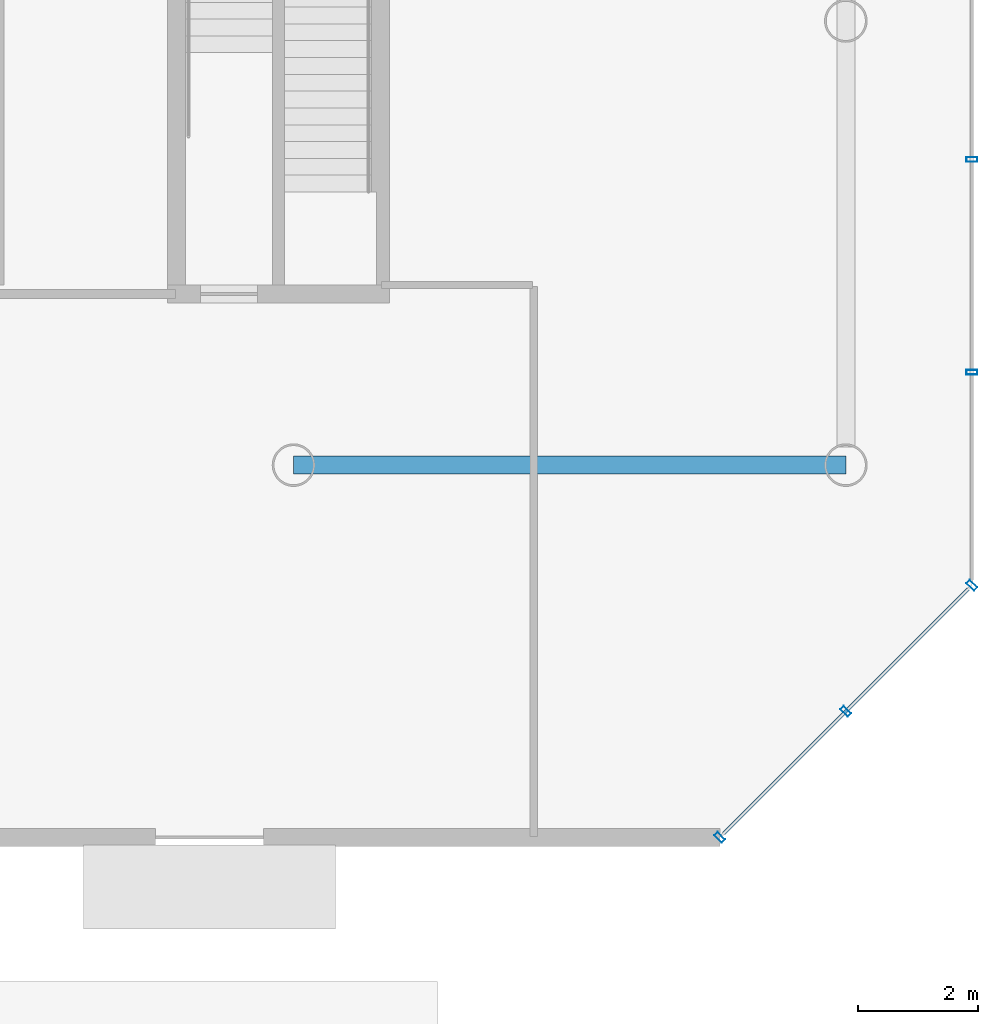
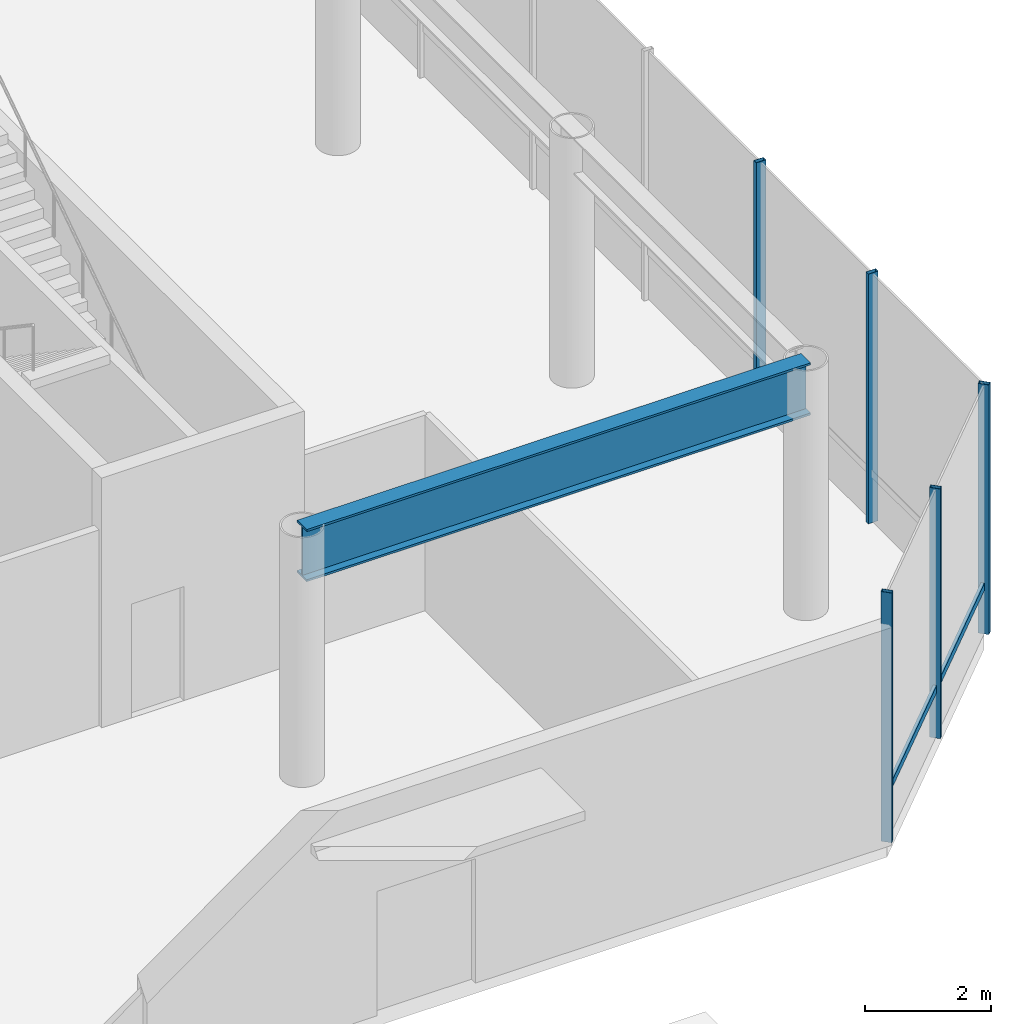
# One storey, part 14 of 31: 6 members, 1 beam, 2 elements without a shape of their own.
"""IFC4 building model written with IfcOpenShell, lengths in metres."""

from ifc_helpers import new_model, si_unit, direction, frame, origin, origin_2d, place, context, subcontext, project, spatial, hollow_rectangle, i_section, extrude, material, layer, layer_set, material_profile, profile_set, type_object, element, aggregate, save


model = new_model("IFC4")

# Units and contexts
model_context = context("Model", 3, precision=1e-05, world=origin(), true_north=direction((0.0, 1.0)))
body_context = subcontext(model_context, "Body", "Model", "MODEL_VIEW")
ifc_project = project(units=[si_unit("LENGTHUNIT", "METRE"), si_unit("AREAUNIT", "SQUARE_METRE"), si_unit("VOLUMEUNIT", "CUBIC_METRE"), si_unit("PLANEANGLEUNIT", "RADIAN"), si_unit("MASSUNIT", "GRAM", prefix="KILO")], contexts=[model_context])

# Site, building, storey
site_placement = place(None, origin())
site = spatial("IfcSite", under=ifc_project, at=site_placement, CompositionType="ELEMENT")
building_placement = place(site_placement, origin())
building = spatial("IfcBuilding", under=site, at=building_placement, Name="Zarrinselat Tower", CompositionType="ELEMENT")
storey_placement = place(building_placement, origin())
storey = spatial("IfcBuildingStorey", under=building, at=storey_placement, Name="L00", CompositionType="ELEMENT", Elevation=0.0)

# Beam
ifc_material_1 = material(Name="Steel S460M", Category="steel")
ifc_material_profile_1 = material_profile(ifc_material_1, i_section(OverallWidth=0.302001953125, OverallDepth=1.008056640625, WebThickness=0.02099609375, FlangeThickness=0.0400390625, at=origin_2d()), Name="HEM 1000")
ifc_profile_set_1 = profile_set([ifc_material_profile_1], Name="Steel S460M")
beam_type = type_object("IfcBeamType", Name="BM-PDTR-HEM1000", PredefinedType="BEAM", material=ifc_profile_set_1)
beam_placement = place(storey_placement, frame((68.0, 11.0, 4.31591796875), z_axis=(1.0, 0.0, 0.0), x_axis=(0.0, 1.0, 0.0)))
element("IfcBeam", 1, at=beam_placement, inside=storey, type_object=beam_type, Name="L00 Podium Transfer Girder E-11", PredefinedType="BEAM", context=body_context, shape_type="SweptSolid", body=[
    extrude(i_section(OverallWidth=0.302001953125, OverallDepth=1.008056640625, WebThickness=0.02099609375, FlangeThickness=0.0400390625, at=origin_2d()), origin(), (0.0, 0.0, 1.0), 9.199951171875),
])

# Curtain wall, members
ifc_material_2 = material(Name="Extruded Aluminium Alloy EN AW-6063 T6", Category="aluminium")
ifc_layer = layer(ifc_material_2, 0.2099609375)
ifc_layer_set = layer_set([ifc_layer], Name="Extruded Aluminium Alloy EN AW-6063 T6")
curtain_wall_type = type_object("IfcCurtainWallType", Name="CWS-POD", PredefinedType="NOTDEFINED", material=ifc_layer_set)
curtain_wall_1_placement = place(storey_placement, origin())
curtain_wall_1 = element("IfcCurtainWall", 2, at=curtain_wall_1_placement, inside=storey, type_object=curtain_wall_type, Name="L00 Unitised Curtain Wall CW-L00-E2", PredefinedType="NOTDEFINED")
ifc_material_3 = material(Name="Extruded Aluminium Alloy EN AW-6063 T6", Category="aluminium")
ifc_material_profile_2 = material_profile(ifc_material_3, hollow_rectangle(XDim=0.080078125, YDim=0.179931640625, WallThickness=0.0048828125, at=origin_2d()), Name="RHS 180x80x5")
ifc_profile_set_2 = profile_set([ifc_material_profile_2], Name="Extruded Aluminium Alloy EN AW-6063 T6")
member_type_1 = type_object("IfcMemberType", Name="MEM-CW-MUL", PredefinedType="MULLION", material=ifc_profile_set_2)
member_1_placement = place(storey_placement, frame((75.10009765625, 4.800048828125, 0.0), z_axis=(0.0, 0.0, 1.0), x_axis=(0.707106781187, 0.707106781187, 0.0)))
member_1 = element("IfcMember", 3, at=member_1_placement, type_object=member_type_1, Name="CW-L00-E2 Mullion 0", PredefinedType="MULLION", context=body_context, shape_type="SweptSolid", body=[
    extrude(hollow_rectangle(XDim=0.080078125, YDim=0.179931640625, WallThickness=0.0048828125, at=origin_2d()), origin(), (0.0, 0.0, 1.0), 4.820068359375),
])
member_2_placement = place(storey_placement, frame((77.199951171875, 6.89990234375, 0.0), z_axis=(0.0, 0.0, 1.0), x_axis=(0.707106781187, 0.707106781187, 0.0)))
member_2 = element("IfcMember", 4, at=member_2_placement, type_object=member_type_1, Name="CW-L00-E2 Mullion 1", PredefinedType="MULLION", context=body_context, shape_type="SweptSolid", body=[
    extrude(hollow_rectangle(XDim=0.080078125, YDim=0.179931640625, WallThickness=0.0048828125, at=origin_2d()), origin(), (0.0, 0.0, 1.0), 4.820068359375),
])
member_3_placement = place(storey_placement, frame((79.300048828125, 9.0, 0.0), z_axis=(0.0, 0.0, 1.0), x_axis=(0.707106781187, 0.707106781187, 0.0)))
member_3 = element("IfcMember", 5, at=member_3_placement, type_object=member_type_1, Name="CW-L00-E2 Mullion 2", PredefinedType="MULLION", context=body_context, shape_type="SweptSolid", body=[
    extrude(hollow_rectangle(XDim=0.080078125, YDim=0.179931640625, WallThickness=0.0048828125, at=origin_2d()), origin(), (0.0, 0.0, 1.0), 4.820068359375),
])

curtain_wall_2_placement = place(storey_placement, origin())
curtain_wall_2 = element("IfcCurtainWall", 6, at=curtain_wall_2_placement, inside=storey, type_object=curtain_wall_type, Name="L00 Unitised Curtain Wall CW-L00-E3", PredefinedType="NOTDEFINED")
member_4_placement = place(storey_placement, frame((79.300048828125, 12.54541015625, 0.0), z_axis=(0.0, 0.0, 1.0), x_axis=(0.0, 1.0, 0.0)))
member_4 = element("IfcMember", 7, at=member_4_placement, type_object=member_type_1, Name="CW-L00-E3 Mullion 1", PredefinedType="MULLION", context=body_context, shape_type="SweptSolid", body=[
    extrude(hollow_rectangle(XDim=0.080078125, YDim=0.179931640625, WallThickness=0.0048828125, at=origin_2d()), origin(), (0.0, 0.0, 1.0), 4.820068359375),
])
member_5_placement = place(storey_placement, frame((79.300048828125, 16.0908203125, 0.0), z_axis=(0.0, 0.0, 1.0), x_axis=(0.0, 1.0, 0.0)))
member_5 = element("IfcMember", 8, at=member_5_placement, type_object=member_type_1, Name="CW-L00-E3 Mullion 2", PredefinedType="MULLION", context=body_context, shape_type="SweptSolid", body=[
    extrude(hollow_rectangle(XDim=0.080078125, YDim=0.179931640625, WallThickness=0.0048828125, at=origin_2d()), origin(), (0.0, 0.0, 1.0), 4.820068359375),
])
aggregate(curtain_wall_2, [member_4, member_5])

# Member
ifc_material_4 = material(Name="Extruded Aluminium Alloy EN AW-6063 T6", Category="aluminium")
ifc_material_profile_3 = material_profile(ifc_material_4, hollow_rectangle(XDim=0.06005859375, YDim=0.139892578125, WallThickness=0.00390625, at=origin_2d()), Name="RHS 140x60x4")
ifc_profile_set_3 = profile_set([ifc_material_profile_3], Name="Extruded Aluminium Alloy EN AW-6063 T6")
member_type_2 = type_object("IfcMemberType", Name="MEM-CW-TRN", PredefinedType="USERDEFINED", material=ifc_profile_set_3)
member_6_placement = place(storey_placement, frame((75.16357421875, 4.863525390625, 0.949951171875), z_axis=(0.707106781187, 0.707106781187, 0.0), x_axis=(-0.707106781187, 0.707106781187, 0.0)))
member_6 = element("IfcMember", 9, at=member_6_placement, type_object=member_type_2, Name="CW-L00-E2 Transom 1", ObjectType="TRANSOM", PredefinedType="USERDEFINED", context=body_context, shape_type="SweptSolid", body=[
    extrude(hollow_rectangle(XDim=0.06005859375, YDim=0.139892578125, WallThickness=0.00390625, at=origin_2d()), origin(), (0.0, 0.0, 1.0), 5.759765625),
])

aggregate(curtain_wall_1, [member_1, member_2, member_3, member_6])

save(model, "model.ifc")
